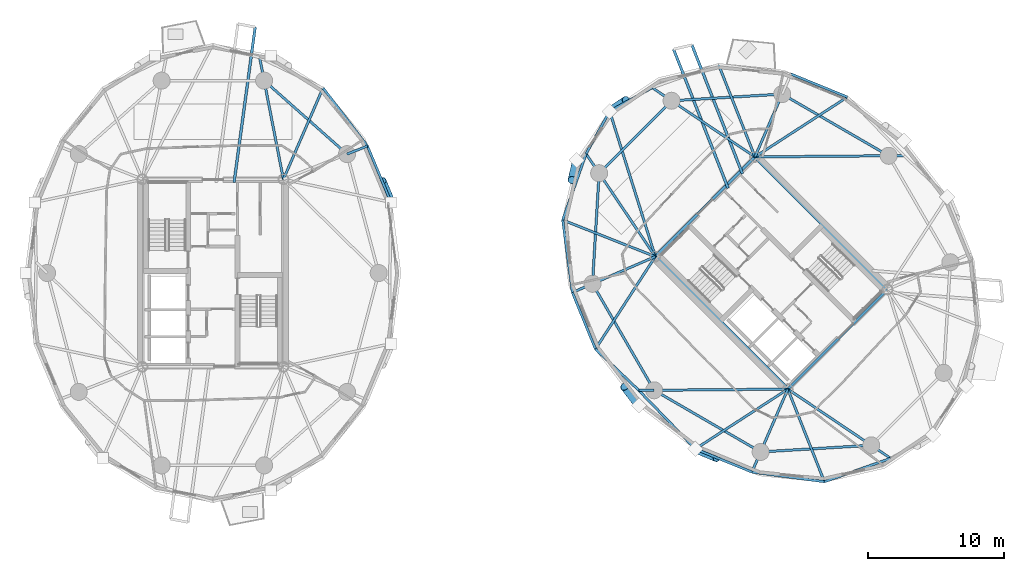
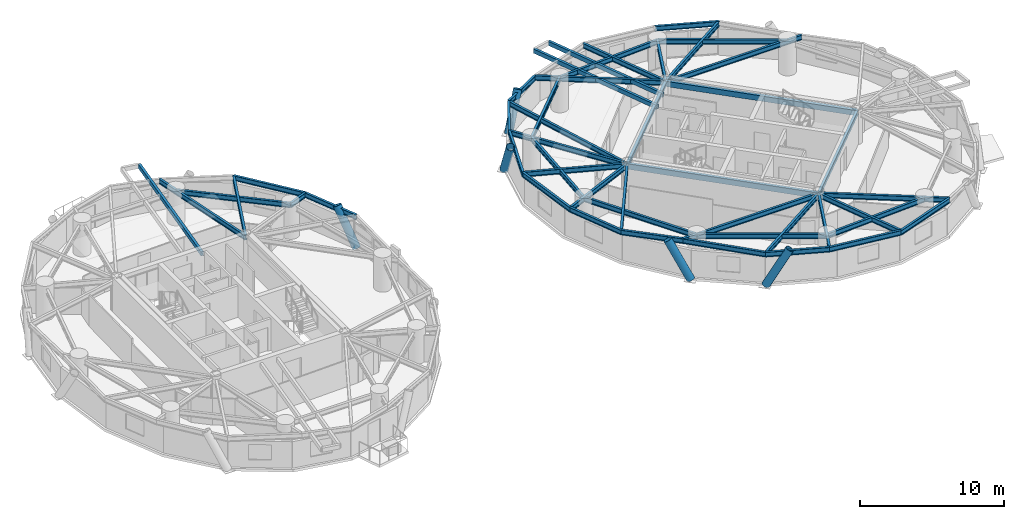
# One storey, part 4 of 17: 47 beams, 5 members.
"""IFC4 building model written with IfcOpenShell, lengths in metres."""

from ifc_helpers import new_model, si_unit, direction, frame, origin, origin_2d, place, context, subcontext, project, spatial, hollow_rectangle, hollow_circle, i_section, extrude, material, material_profile, profile_set, type_object, element, save


model = new_model("IFC4")

# Units and contexts
model_context = context("Model", 3, precision=1e-05, world=origin(), true_north=direction((0.0, 1.0)))
body_context = subcontext(model_context, "Body", "Model", "MODEL_VIEW")
ifc_project = project(units=[si_unit("LENGTHUNIT", "METRE"), si_unit("AREAUNIT", "SQUARE_METRE"), si_unit("VOLUMEUNIT", "CUBIC_METRE"), si_unit("PLANEANGLEUNIT", "RADIAN"), si_unit("MASSUNIT", "GRAM", prefix="KILO")], contexts=[model_context])

# Site, building, storey
site_placement = place(None, origin())
site = spatial("IfcSite", under=ifc_project, at=site_placement, CompositionType="ELEMENT")
building_placement = place(site_placement, origin())
building = spatial("IfcBuilding", under=site, at=building_placement, Name="Cununo Teusaquillo Station Towers", CompositionType="ELEMENT")
storey_placement = place(building_placement, frame((0.0, 0.0, 186.52001953125)))
storey = spatial("IfcBuildingStorey", under=building, at=storey_placement, Name="L59", CompositionType="ELEMENT", Elevation=186.52001953125)

# Beams
ifc_material_1 = material(Name="Steel EN 10025-2 S355J2", Category="steel")
ifc_material_profile_1 = material_profile(ifc_material_1, hollow_rectangle(XDim=0.199951171875, YDim=0.35009765625, WallThickness=0.013916015625, at=origin_2d()), Name="RHS 350x200x14")
ifc_profile_set_1 = profile_set([ifc_material_profile_1], Name="Steel EN 10025-2 S355J2")
beam_type_1 = type_object("IfcBeamType", Name="BM-BAL-CANT", PredefinedType="BEAM", material=ifc_profile_set_1)
beam_1_placement = place(storey_placement, frame((18.05517578125, 31.14990234375, 2.514892578125), z_axis=(0.134626438315, 0.990896423501, 0.0), x_axis=(-0.990896423501, 0.134626438315, 0.0)))
element("IfcBeam", 1, at=beam_1_placement, inside=storey, type_object=beam_type_1, Name="L59 Tower A Balcony Cantilever Bracket 1A", PredefinedType="BEAM", context=body_context, shape_type="SweptSolid", body=[
    extrude(hollow_rectangle(XDim=0.199951171875, YDim=0.35009765625, WallThickness=0.013916015625, at=origin_2d()), origin(), (0.0, 0.0, 1.0), 11.504638671875),
])
beam_2_placement = place(storey_placement, frame((55.377685546875, 31.781982421875, 2.514892578125), z_axis=(-0.365281448211, 0.930897128362, 0.0), x_axis=(-0.930897128362, -0.365281448211, 0.0)))
element("IfcBeam", 2, at=beam_2_placement, inside=storey, type_object=beam_type_1, Name="L59 Tower B Balcony Cantilever Bracket 1A", PredefinedType="BEAM", context=body_context, shape_type="SweptSolid", body=[
    extrude(hollow_rectangle(XDim=0.199951171875, YDim=0.35009765625, WallThickness=0.013916015625, at=origin_2d()), origin(), (0.0, 0.0, 1.0), 10.162353515625),
])
beam_3_placement = place(storey_placement, frame((54.32177734375, 30.726318359375, 2.514892578125), z_axis=(-0.36528703962, 0.93089493429, 0.0), x_axis=(-0.93089493429, -0.36528703962, 0.0)))
element("IfcBeam", 3, at=beam_3_placement, inside=storey, type_object=beam_type_1, Name="L59 Tower B Balcony Cantilever Bracket 1B", PredefinedType="BEAM", context=body_context, shape_type="SweptSolid", body=[
    extrude(hollow_rectangle(XDim=0.199951171875, YDim=0.35009765625, WallThickness=0.013916015625, at=origin_2d()), origin(), (0.0, 0.0, 1.0), 10.958984375),
])
ifc_material_2 = material(Name="Steel EN 10025-2 S355J2", Category="steel")
ifc_material_profile_2 = material_profile(ifc_material_2, hollow_rectangle(XDim=0.25, YDim=0.449951171875, WallThickness=0.01611328125, at=origin_2d()), Name="RHS 450x250x16")
ifc_profile_set_2 = profile_set([ifc_material_profile_2], Name="Steel EN 10025-2 S355J2")
beam_type_2 = type_object("IfcBeamType", Name="BM-COUP-1", PredefinedType="USERDEFINED", material=ifc_profile_set_2)
for number, where, z_axis, x_axis, name in (
    (4, (58.70556640625, 15.975830078125, 2.465087890625), (-0.707106781187, 0.707106781187, 0.0), (-0.707106781187, -0.707106781187, 0.0), "L59 Tower B Core Beam 1"),
    (5, (66.024169921875, 23.29443359375, 2.465087890625), (-0.707106781187, 0.707106781187, 0.0), (-0.707106781187, -0.707106781187, 0.0), "L59 Tower B Core Beam 2"),
):
    element("IfcBeam", number, at=place(storey_placement, frame(where, z_axis=z_axis, x_axis=x_axis)), inside=storey, type_object=beam_type_2, Name=name, ObjectType="COUPLING BEAM", PredefinedType="USERDEFINED", context=body_context, shape_type="SweptSolid", body=[
        extrude(hollow_rectangle(XDim=0.25, YDim=0.449951171875, WallThickness=0.01611328125, at=origin_2d()), origin(), (0.0, 0.0, 1.0), 13.760009765625),
    ])
ifc_material_3 = material(Name="Steel ASTM A572 Grade 50", Category="steel")
ifc_material_profile_3 = material_profile(ifc_material_3, i_section(OverallWidth=0.180908203125, OverallDepth=0.4169921875, WebThickness=0.010986328125, FlangeThickness=0.018310546875, FilletRadius=0.012939453125, at=origin_2d()), Name="W16X57")
ifc_profile_set_3 = profile_set([ifc_material_profile_3], Name="Steel ASTM A572 Grade 50")
beam_type_3 = type_object("IfcBeamType", Name="BM-JOIST-1", PredefinedType="JOIST", material=ifc_profile_set_3)
beam_4_placement = place(storey_placement, frame((21.675048828125, 31.3798828125, 2.4814453125), z_axis=(0.397903718051, 0.917427180304, 0.0), x_axis=(-0.917427180304, 0.397903718051, 0.0)))
element("IfcBeam", 6, at=beam_4_placement, inside=storey, type_object=beam_type_3, Name="L59 Tower A Radial Spandrel Joist V03", PredefinedType="JOIST", context=body_context, shape_type="SweptSolid", body=[
    extrude(i_section(OverallWidth=0.180908203125, OverallDepth=0.4169921875, WebThickness=0.010986328125, FlangeThickness=0.018310546875, FilletRadius=0.012939453125, at=origin_2d()), origin(), (0.0, 0.0, 1.0), 7.306884765625),
])
beam_5_placement = place(storey_placement, frame((56.29443359375, 33.024169921875, 2.4814453125), z_axis=(0.839447756954, 0.543440395394, 0.0), x_axis=(-0.543440395394, 0.839447756954, 0.0)))
element("IfcBeam", 7, at=beam_5_placement, inside=storey, type_object=beam_type_3, Name="L59 Tower B Radial Spandrel Joist V01", PredefinedType="JOIST", context=body_context, shape_type="SweptSolid", body=[
    extrude(i_section(OverallWidth=0.180908203125, OverallDepth=0.4169921875, WebThickness=0.010986328125, FlangeThickness=0.018310546875, FilletRadius=0.012939453125, at=origin_2d()), origin(), (0.0, 0.0, 1.0), 8.08203125),
])
beam_6_placement = place(storey_placement, frame((56.29443359375, 33.024169921875, 2.4814453125), z_axis=(-0.367331607091, 0.93009004426, 0.0), x_axis=(-0.93009004426, -0.367331607091, 0.0)))
element("IfcBeam", 8, at=beam_6_placement, inside=storey, type_object=beam_type_3, Name="L59 Tower B Radial Spandrel Joist V03", PredefinedType="JOIST", context=body_context, shape_type="SweptSolid", body=[
    extrude(i_section(OverallWidth=0.180908203125, OverallDepth=0.4169921875, WebThickness=0.010986328125, FlangeThickness=0.018310546875, FilletRadius=0.012939453125, at=origin_2d()), origin(), (0.0, 0.0, 1.0), 7.306884765625),
])
beam_7_placement = place(storey_placement, frame((48.975830078125, 25.70556640625, 2.4814453125), z_axis=(-0.29947962656, 0.954102695351, 0.0), x_axis=(-0.954102695351, -0.29947962656, 0.0)))
element("IfcBeam", 9, at=beam_7_placement, inside=storey, type_object=beam_type_3, Name="L59 Tower B Radial Spandrel Joist V05", PredefinedType="JOIST", context=body_context, shape_type="SweptSolid", body=[
    extrude(i_section(OverallWidth=0.180908203125, OverallDepth=0.4169921875, WebThickness=0.010986328125, FlangeThickness=0.018310546875, FilletRadius=0.012939453125, at=origin_2d()), origin(), (0.0, 0.0, 1.0), 11.179931640625),
])
beam_8_placement = place(storey_placement, frame((48.975830078125, 25.70556640625, 2.4814453125), z_axis=(-0.93009004426, 0.367331607091, 0.0), x_axis=(-0.367331607091, -0.93009004426, 0.0)))
element("IfcBeam", 10, at=beam_8_placement, inside=storey, type_object=beam_type_3, Name="L59 Tower B Radial Spandrel Joist V07", PredefinedType="JOIST", context=body_context, shape_type="SweptSolid", body=[
    extrude(i_section(OverallWidth=0.180908203125, OverallDepth=0.4169921875, WebThickness=0.010986328125, FlangeThickness=0.018310546875, FilletRadius=0.012939453125, at=origin_2d()), origin(), (0.0, 0.0, 1.0), 7.306884765625),
])
for number, where, z_axis, x_axis, name in (
    (11, (48.975830078125, 25.70556640625, 2.4814453125), (-0.543440395394, -0.839447756954, 0.0), (0.839447756954, -0.543440395394, 0.0), "L59 Tower B Radial Spandrel Joist V09"),
    (12, (58.70556640625, 15.975830078125, 2.4814453125), (-0.839447756954, -0.543440395394, 0.0), (0.543440395394, -0.839447756954, 0.0), "L59 Tower B Radial Spandrel Joist V11"),
):
    element("IfcBeam", number, at=place(storey_placement, frame(where, z_axis=z_axis, x_axis=x_axis)), inside=storey, type_object=beam_type_3, Name=name, PredefinedType="JOIST", context=body_context, shape_type="SweptSolid", body=[
        extrude(i_section(OverallWidth=0.180908203125, OverallDepth=0.4169921875, WebThickness=0.010986328125, FlangeThickness=0.018310546875, FilletRadius=0.012939453125, at=origin_2d()), origin(), (0.0, 0.0, 1.0), 8.08203125),
    ])
beam_9_placement = place(storey_placement, frame((58.70556640625, 15.975830078125, 2.4814453125), z_axis=(0.367331607091, -0.93009004426, 0.0), x_axis=(0.93009004426, 0.367331607091, 0.0)))
element("IfcBeam", 13, at=beam_9_placement, inside=storey, type_object=beam_type_3, Name="L59 Tower B Radial Spandrel Joist V13", PredefinedType="JOIST", context=body_context, shape_type="SweptSolid", body=[
    extrude(i_section(OverallWidth=0.180908203125, OverallDepth=0.4169921875, WebThickness=0.010986328125, FlangeThickness=0.018310546875, FilletRadius=0.012939453125, at=origin_2d()), origin(), (0.0, 0.0, 1.0), 7.306884765625),
])
ifc_material_4 = material(Name="Steel ASTM A572 Grade 50", Category="steel")
ifc_material_profile_4 = material_profile(ifc_material_4, i_section(OverallWidth=0.2041015625, OverallDepth=0.35009765625, WebThickness=0.008544921875, FlangeThickness=0.01513671875, FilletRadius=0.011962890625, at=origin_2d()), Name="W14X48")
ifc_profile_set_4 = profile_set([ifc_material_profile_4], Name="Steel ASTM A572 Grade 50")
beam_type_4 = type_object("IfcBeamType", Name="BM-LINTEL-1", PredefinedType="LINTEL", material=ifc_profile_set_4)
for number, where, z_axis, x_axis, name in (
    (14, (58.70556640625, 15.975830078125, 2.514892578125), (0.707106781187, 0.707106781187, 0.0), (-0.707106781187, 0.707106781187, 0.0), "L59 Tower B Core Beam 3"),
    (15, (48.975830078125, 25.70556640625, 2.514892578125), (0.707106781187, 0.707106781187, 0.0), (-0.707106781187, 0.707106781187, 0.0), "L59 Tower B Core Beam 4"),
):
    element("IfcBeam", number, at=place(storey_placement, frame(where, z_axis=z_axis, x_axis=x_axis)), inside=storey, type_object=beam_type_4, Name=name, PredefinedType="LINTEL", context=body_context, shape_type="SweptSolid", body=[
        extrude(i_section(OverallWidth=0.2041015625, OverallDepth=0.35009765625, WebThickness=0.008544921875, FlangeThickness=0.01513671875, FilletRadius=0.011962890625, at=origin_2d()), origin(), (0.0, 0.0, 1.0), 10.35009765625),
    ])
ifc_material_5 = material(Name="Steel ASTM A572 Grade 50", Category="steel")
ifc_material_profile_5 = material_profile(ifc_material_5, i_section(OverallWidth=0.180908203125, OverallDepth=0.4169921875, WebThickness=0.010986328125, FlangeThickness=0.018310546875, FilletRadius=0.012939453125, at=origin_2d()), Name="W16X57")
ifc_profile_set_5 = profile_set([ifc_material_profile_5], Name="Steel ASTM A572 Grade 50")
beam_type_5 = type_object("IfcBeamType", Name="BM-RAD-G2", PredefinedType="BEAM", material=ifc_profile_set_5)
beam_10_placement = place(storey_placement, frame((26.347412109375, 33.228515625, 2.4814453125), z_axis=(0.929873737198, 0.367878829058, 0.0), x_axis=(-0.367878829058, 0.929873737198, 0.0)))
element("IfcBeam", 16, at=beam_10_placement, inside=storey, type_object=beam_type_5, Name="L59 Tower A Perimeter Overhang Girder 02B", PredefinedType="BEAM", context=body_context, shape_type="SweptSolid", body=[
    extrude(i_section(OverallWidth=0.180908203125, OverallDepth=0.4169921875, WebThickness=0.010986328125, FlangeThickness=0.018310546875, FilletRadius=0.012939453125, at=origin_2d()), origin(), (0.0, 0.0, 1.0), 1.607421875),
])
beam_11_placement = place(storey_placement, frame((21.675048828125, 31.3798828125, 2.4814453125), z_axis=(-0.191557018874, 0.981481486591, 0.0), x_axis=(-0.981481486591, -0.191557018874, 0.0)))
element("IfcBeam", 17, at=beam_11_placement, inside=storey, type_object=beam_type_5, Name="L59 Tower A Continuous Overhanging Radial Girder 03", PredefinedType="BEAM", context=body_context, shape_type="SweptSolid", body=[
    extrude(i_section(OverallWidth=0.180908203125, OverallDepth=0.4169921875, WebThickness=0.010986328125, FlangeThickness=0.018310546875, FilletRadius=0.012939453125, at=origin_2d()), origin(), (0.0, 0.0, 1.0), 9.097412109375),
])
beam_12_placement = place(storey_placement, frame((56.29443359375, 33.024169921875, 2.4814453125), z_axis=(0.999964410964, 0.008436634764, 0.0), x_axis=(-0.008436634764, 0.999964410964, 0.0)))
element("IfcBeam", 18, at=beam_12_placement, inside=storey, type_object=beam_type_5, Name="L59 Tower B Continuous Overhanging Radial Girder 01", PredefinedType="BEAM", context=body_context, shape_type="SweptSolid", body=[
    extrude(i_section(OverallWidth=0.180908203125, OverallDepth=0.4169921875, WebThickness=0.010986328125, FlangeThickness=0.018310546875, FilletRadius=0.012939453125, at=origin_2d()), origin(), (0.0, 0.0, 1.0), 10.938720703125),
])
beam_13_placement = place(storey_placement, frame((56.29443359375, 33.024169921875, 2.4814453125), z_axis=(0.397346986387, 0.917668443616, 0.0), x_axis=(-0.917668443616, 0.397346986387, 0.0)))
element("IfcBeam", 19, at=beam_13_placement, inside=storey, type_object=beam_type_5, Name="L59 Tower B Radial Girder 02A", PredefinedType="BEAM", context=body_context, shape_type="SweptSolid", body=[
    extrude(i_section(OverallWidth=0.180908203125, OverallDepth=0.4169921875, WebThickness=0.010986328125, FlangeThickness=0.018310546875, FilletRadius=0.012939453125, at=origin_2d()), origin(), (0.0, 0.0, 1.0), 5.02490234375),
])
for number, where, z_axis, x_axis, name in (
    (20, (56.29443359375, 33.024169921875, 2.4814453125), (-0.829456719326, 0.558570989907, 0.0), (-0.558570989907, -0.829456719326, 0.0), "L59 Tower B Continuous Overhanging Radial Girder 03"),
    (21, (48.975830078125, 25.70556640625, 2.4814453125), (-0.558570989907, 0.829456719326, 0.0), (-0.829456719326, -0.558570989907, 0.0), "L59 Tower B Continuous Overhanging Radial Girder 04"),
):
    element("IfcBeam", number, at=place(storey_placement, frame(where, z_axis=z_axis, x_axis=x_axis)), inside=storey, type_object=beam_type_5, Name=name, PredefinedType="BEAM", context=body_context, shape_type="SweptSolid", body=[
        extrude(i_section(OverallWidth=0.180908203125, OverallDepth=0.4169921875, WebThickness=0.010986328125, FlangeThickness=0.018310546875, FilletRadius=0.012939453125, at=origin_2d()), origin(), (0.0, 0.0, 1.0), 9.097412109375),
    ])
beam_14_placement = place(storey_placement, frame((48.975830078125, 25.70556640625, 2.4814453125), z_axis=(-0.917664823247, -0.397355347486, 0.0), x_axis=(0.397355347486, -0.917664823247, 0.0)))
element("IfcBeam", 22, at=beam_14_placement, inside=storey, type_object=beam_type_5, Name="L59 Tower B Continuous Overhanging Radial Girder 05", PredefinedType="BEAM", context=body_context, shape_type="SweptSolid", body=[
    extrude(i_section(OverallWidth=0.180908203125, OverallDepth=0.4169921875, WebThickness=0.010986328125, FlangeThickness=0.018310546875, FilletRadius=0.012939453125, at=origin_2d()), origin(), (0.0, 0.0, 1.0), 6.632080078125),
])
beam_15_placement = place(storey_placement, frame((58.70556640625, 15.975830078125, 2.4814453125), z_axis=(-0.999964431382, -0.008434214327, 0.0), x_axis=(0.008434214327, -0.999964431382, 0.0)))
element("IfcBeam", 23, at=beam_15_placement, inside=storey, type_object=beam_type_5, Name="L59 Tower B Radial Girder 06A", PredefinedType="BEAM", context=body_context, shape_type="SweptSolid", body=[
    extrude(i_section(OverallWidth=0.180908203125, OverallDepth=0.4169921875, WebThickness=0.010986328125, FlangeThickness=0.018310546875, FilletRadius=0.012939453125, at=origin_2d()), origin(), (0.0, 0.0, 1.0), 9.812744140625),
])
beam_16_placement = place(storey_placement, frame((48.89306640625, 15.89306640625, 2.4814453125), z_axis=(-0.99996423274, -0.008457732613, 0.0), x_axis=(0.008457732613, -0.99996423274, 0.0)))
element("IfcBeam", 24, at=beam_16_placement, inside=storey, type_object=beam_type_5, Name="L59 Tower B Perimeter Overhang Girder 06B", PredefinedType="BEAM", context=body_context, shape_type="SweptSolid", body=[
    extrude(i_section(OverallWidth=0.180908203125, OverallDepth=0.4169921875, WebThickness=0.010986328125, FlangeThickness=0.018310546875, FilletRadius=0.012939453125, at=origin_2d()), origin(), (0.0, 0.0, 1.0), 1.125732421875),
])
beam_17_placement = place(storey_placement, frame((58.70556640625, 15.975830078125, 2.4814453125), z_axis=(-0.397355347486, -0.917664823247, 0.0), x_axis=(0.917664823247, -0.397355347486, 0.0)))
element("IfcBeam", 25, at=beam_17_placement, inside=storey, type_object=beam_type_5, Name="L59 Tower B Continuous Overhanging Radial Girder 07", PredefinedType="BEAM", context=body_context, shape_type="SweptSolid", body=[
    extrude(i_section(OverallWidth=0.180908203125, OverallDepth=0.4169921875, WebThickness=0.010986328125, FlangeThickness=0.018310546875, FilletRadius=0.012939453125, at=origin_2d()), origin(), (0.0, 0.0, 1.0), 6.632080078125),
])
beam_18_placement = place(storey_placement, frame((58.70556640625, 15.975830078125, 2.4814453125), z_axis=(0.829456719326, -0.558570989907, 0.0), x_axis=(0.558570989907, 0.829456719326, 0.0)))
element("IfcBeam", 26, at=beam_18_placement, inside=storey, type_object=beam_type_5, Name="L59 Tower B Continuous Overhanging Radial Girder 08", PredefinedType="BEAM", context=body_context, shape_type="SweptSolid", body=[
    extrude(i_section(OverallWidth=0.180908203125, OverallDepth=0.4169921875, WebThickness=0.010986328125, FlangeThickness=0.018310546875, FilletRadius=0.012939453125, at=origin_2d()), origin(), (0.0, 0.0, 1.0), 9.097412109375),
])
ifc_material_6 = material(Name="Steel ASTM A572 Grade 50", Category="steel")
ifc_material_profile_6 = material_profile(ifc_material_6, i_section(OverallWidth=0.180908203125, OverallDepth=0.4169921875, WebThickness=0.010986328125, FlangeThickness=0.018310546875, FilletRadius=0.012939453125, at=origin_2d()), Name="W16X57")
ifc_profile_set_6 = profile_set([ifc_material_profile_6], Name="Steel ASTM A572 Grade 50")
beam_type_6 = type_object("IfcBeamType", Name="BM-RING-Z3", PredefinedType="SPANDREL", material=ifc_profile_set_6)
beam_19_placement = place(storey_placement, frame((26.347412109375, 33.228515625, 2.4814453125), z_axis=(-0.74832120039, 0.66333655187, 0.0), x_axis=(-0.66333655187, -0.74832120039, 0.0)))
element("IfcBeam", 27, at=beam_19_placement, inside=storey, type_object=beam_type_6, Name="L59 Tower A Structural Column Ring Girder 02", PredefinedType="SPANDREL", context=body_context, shape_type="SweptSolid", body=[
    extrude(i_section(OverallWidth=0.180908203125, OverallDepth=0.4169921875, WebThickness=0.010986328125, FlangeThickness=0.018310546875, FilletRadius=0.012939453125, at=origin_2d()), origin(), (0.0, 0.0, 1.0), 8.1328125),
])
beam_20_placement = place(storey_placement, frame((29.577880859375, 29.6884765625, 2.4814453125), z_axis=(-0.387360300858, 0.921928412253, 0.0), x_axis=(-0.921928412253, -0.387360300858, 0.0)))
element("IfcBeam", 28, at=beam_20_placement, inside=storey, type_object=beam_type_6, Name="L59 Tower A Spandrel Ring Beam 02", PredefinedType="SPANDREL", context=body_context, shape_type="SweptSolid", body=[
    extrude(i_section(OverallWidth=0.180908203125, OverallDepth=0.4169921875, WebThickness=0.010986328125, FlangeThickness=0.018310546875, FilletRadius=0.012939453125, at=origin_2d()), origin(), (0.0, 0.0, 1.0), 4.481201171875),
])
beam_21_placement = place(storey_placement, frame((27.842041015625, 33.81982421875, 2.4814453125), z_axis=(-0.607340349092, 0.794441753916, 0.0), x_axis=(-0.794441753916, -0.607340349092, 0.0)))
element("IfcBeam", 29, at=beam_21_placement, inside=storey, type_object=beam_type_6, Name="L59 Tower A Spandrel Ring Beam 03", PredefinedType="SPANDREL", context=body_context, shape_type="SweptSolid", body=[
    extrude(i_section(OverallWidth=0.180908203125, OverallDepth=0.4169921875, WebThickness=0.010986328125, FlangeThickness=0.018310546875, FilletRadius=0.012939453125, at=origin_2d()), origin(), (0.0, 0.0, 1.0), 5.366943359375),
])
beam_22_placement = place(storey_placement, frame((66.10693359375, 33.10693359375, 2.4814453125), z_axis=(-0.865267103202, 0.501311121078, 0.0), x_axis=(-0.501311121078, -0.865267103202, 0.0)))
element("IfcBeam", 30, at=beam_22_placement, inside=storey, type_object=beam_type_6, Name="L59 Tower B Structural Column Ring Girder 01", PredefinedType="SPANDREL", context=body_context, shape_type="SweptSolid", body=[
    extrude(i_section(OverallWidth=0.180908203125, OverallDepth=0.4169921875, WebThickness=0.010986328125, FlangeThickness=0.018310546875, FilletRadius=0.012939453125, at=origin_2d()), origin(), (0.0, 0.0, 1.0), 9.032958984375),
])
beam_23_placement = place(storey_placement, frame((58.291015625, 37.63525390625, 2.4814453125), z_axis=(-0.998190567048, -0.06012979176, 0.0), x_axis=(0.06012979176, -0.998190567048, 0.0)))
element("IfcBeam", 31, at=beam_23_placement, inside=storey, type_object=beam_type_6, Name="L59 Tower B Structural Column Ring Girder 02", PredefinedType="SPANDREL", context=body_context, shape_type="SweptSolid", body=[
    extrude(i_section(OverallWidth=0.180908203125, OverallDepth=0.4169921875, WebThickness=0.010986328125, FlangeThickness=0.018310546875, FilletRadius=0.012939453125, at=origin_2d()), origin(), (0.0, 0.0, 1.0), 8.132568359375),
])
beam_24_placement = place(storey_placement, frame((50.173095703125, 37.146240234375, 2.4814453125), z_axis=(-0.707106781187, -0.707106781187, 0.0), x_axis=(0.707106781187, -0.707106781187, 0.0)))
element("IfcBeam", 32, at=beam_24_placement, inside=storey, type_object=beam_type_6, Name="L59 Tower B Structural Column Ring Girder 03", PredefinedType="SPANDREL", context=body_context, shape_type="SweptSolid", body=[
    extrude(i_section(OverallWidth=0.180908203125, OverallDepth=0.4169921875, WebThickness=0.010986328125, FlangeThickness=0.018310546875, FilletRadius=0.012939453125, at=origin_2d()), origin(), (0.0, 0.0, 1.0), 7.522705078125),
])
beam_25_placement = place(storey_placement, frame((44.853759765625, 31.826904296875, 2.4814453125), z_axis=(-0.06012979176, -0.998190567048, 0.0), x_axis=(0.998190567048, -0.06012979176, 0.0)))
element("IfcBeam", 33, at=beam_25_placement, inside=storey, type_object=beam_type_6, Name="L59 Tower B Structural Column Ring Girder 04", PredefinedType="SPANDREL", context=body_context, shape_type="SweptSolid", body=[
    extrude(i_section(OverallWidth=0.180908203125, OverallDepth=0.4169921875, WebThickness=0.010986328125, FlangeThickness=0.018310546875, FilletRadius=0.012939453125, at=origin_2d()), origin(), (0.0, 0.0, 1.0), 8.132568359375),
])
for number, where, z_axis, x_axis, name in (
    (34, (44.36474609375, 23.708984375, 2.4814453125), (0.501311121078, -0.865267103202, 0.0), (0.865267103202, 0.501311121078, 0.0), "L59 Tower B Structural Column Ring Girder 05"),
    (35, (48.89306640625, 15.89306640625, 2.4814453125), (0.865267103202, -0.501311121078, 0.0), (0.501311121078, 0.865267103202, 0.0), "L59 Tower B Structural Column Ring Girder 06"),
):
    element("IfcBeam", number, at=place(storey_placement, frame(where, z_axis=z_axis, x_axis=x_axis)), inside=storey, type_object=beam_type_6, Name=name, PredefinedType="SPANDREL", context=body_context, shape_type="SweptSolid", body=[
        extrude(i_section(OverallWidth=0.180908203125, OverallDepth=0.4169921875, WebThickness=0.010986328125, FlangeThickness=0.018310546875, FilletRadius=0.012939453125, at=origin_2d()), origin(), (0.0, 0.0, 1.0), 9.032958984375),
    ])
beam_26_placement = place(storey_placement, frame((56.708984375, 11.36474609375, 2.4814453125), z_axis=(0.998190567048, 0.06012979176, 0.0), x_axis=(-0.06012979176, 0.998190567048, 0.0)))
element("IfcBeam", 36, at=beam_26_placement, inside=storey, type_object=beam_type_6, Name="L59 Tower B Structural Column Ring Girder 07", PredefinedType="SPANDREL", context=body_context, shape_type="SweptSolid", body=[
    extrude(i_section(OverallWidth=0.180908203125, OverallDepth=0.4169921875, WebThickness=0.010986328125, FlangeThickness=0.018310546875, FilletRadius=0.012939453125, at=origin_2d()), origin(), (0.0, 0.0, 1.0), 8.132568359375),
])
beam_27_placement = place(storey_placement, frame((63.078857421875, 37.416259765625, 2.4814453125), z_axis=(-0.925823525235, 0.377956082264, 0.0), x_axis=(-0.377956082264, -0.925823525235, 0.0)))
element("IfcBeam", 37, at=beam_27_placement, inside=storey, type_object=beam_type_6, Name="L59 Tower B Spandrel Ring Beam 02", PredefinedType="SPANDREL", context=body_context, shape_type="SweptSolid", body=[
    extrude(i_section(OverallWidth=0.180908203125, OverallDepth=0.4169921875, WebThickness=0.010986328125, FlangeThickness=0.018310546875, FilletRadius=0.012939453125, at=origin_2d()), origin(), (0.0, 0.0, 1.0), 4.481689453125),
])
for number, where, z_axis, x_axis, name in (
    (38, (48.74853515625, 38.105712890625, 2.4814453125), (-0.874205659621, -0.485555830659, 0.0), (0.485555830659, -0.874205659621, 0.0), "L59 Tower B Spandrel Ring Beam 05"),
    (39, (45.627685546875, 36.372314453125, 2.4814453125), (-0.485555830659, -0.874205659621, 0.0), (0.874205659621, -0.485555830659, 0.0), "L59 Tower B Spandrel Ring Beam 06"),
):
    element("IfcBeam", number, at=place(storey_placement, frame(where, z_axis=z_axis, x_axis=x_axis)), inside=storey, type_object=beam_type_6, Name=name, PredefinedType="SPANDREL", context=body_context, shape_type="SweptSolid", body=[
        extrude(i_section(OverallWidth=0.180908203125, OverallDepth=0.4169921875, WebThickness=0.010986328125, FlangeThickness=0.018310546875, FilletRadius=0.012939453125, at=origin_2d()), origin(), (0.0, 0.0, 1.0), 3.56982421875),
    ])
beam_28_placement = place(storey_placement, frame((43.894287109375, 33.25146484375, 2.4814453125), z_axis=(-0.332589733158, -0.943071614141, 0.0), x_axis=(0.943071614141, -0.332589733158, 0.0)))
element("IfcBeam", 40, at=beam_28_placement, inside=storey, type_object=beam_type_6, Name="L59 Tower B Spandrel Ring Beam 07", PredefinedType="SPANDREL", context=body_context, shape_type="SweptSolid", body=[
    extrude(i_section(OverallWidth=0.180908203125, OverallDepth=0.4169921875, WebThickness=0.010986328125, FlangeThickness=0.018310546875, FilletRadius=0.012939453125, at=origin_2d()), origin(), (0.0, 0.0, 1.0), 5.1552734375),
])
beam_29_placement = place(storey_placement, frame((42.1796875, 28.3896484375, 2.4814453125), z_axis=(0.132339532096, -0.991204443213, 0.0), x_axis=(0.991204443213, 0.132339532096, 0.0)))
element("IfcBeam", 41, at=beam_29_placement, inside=storey, type_object=beam_type_6, Name="L59 Tower B Spandrel Ring Beam 08", PredefinedType="SPANDREL", context=body_context, shape_type="SweptSolid", body=[
    extrude(i_section(OverallWidth=0.180908203125, OverallDepth=0.4169921875, WebThickness=0.010986328125, FlangeThickness=0.018310546875, FilletRadius=0.012939453125, at=origin_2d()), origin(), (0.0, 0.0, 1.0), 5.366455078125),
])
beam_30_placement = place(storey_placement, frame((42.889892578125, 23.0703125, 2.4814453125), z_axis=(0.377956082264, -0.925823525235, 0.0), x_axis=(0.925823525235, 0.377956082264, 0.0)))
element("IfcBeam", 42, at=beam_30_placement, inside=storey, type_object=beam_type_6, Name="L59 Tower B Spandrel Ring Beam 09", PredefinedType="SPANDREL", context=body_context, shape_type="SweptSolid", body=[
    extrude(i_section(OverallWidth=0.180908203125, OverallDepth=0.4169921875, WebThickness=0.010986328125, FlangeThickness=0.018310546875, FilletRadius=0.012939453125, at=origin_2d()), origin(), (0.0, 0.0, 1.0), 4.481689453125),
])
beam_31_placement = place(storey_placement, frame((44.583740234375, 18.921142578125, 2.4814453125), z_axis=(0.723501643849, -0.690322657421, 0.0), x_axis=(0.690322657421, 0.723501643849, 0.0)))
element("IfcBeam", 43, at=beam_31_placement, inside=storey, type_object=beam_type_6, Name="L59 Tower B Spandrel Ring Beam 10", PredefinedType="SPANDREL", context=body_context, shape_type="SweptSolid", body=[
    extrude(i_section(OverallWidth=0.180908203125, OverallDepth=0.4169921875, WebThickness=0.010986328125, FlangeThickness=0.018310546875, FilletRadius=0.012939453125, at=origin_2d()), origin(), (0.0, 0.0, 1.0), 4.400146484375),
])
beam_32_placement = place(storey_placement, frame((47.767333984375, 15.883544921875, 2.4814453125), z_axis=(0.694791256552, -0.719211450005, 0.0), x_axis=(0.719211450005, 0.694791256552, 0.0)))
element("IfcBeam", 44, at=beam_32_placement, inside=storey, type_object=beam_type_6, Name="L59 Tower B Spandrel Ring Beam 11", PredefinedType="SPANDREL", context=body_context, shape_type="SweptSolid", body=[
    extrude(i_section(OverallWidth=0.180908203125, OverallDepth=0.4169921875, WebThickness=0.010986328125, FlangeThickness=0.018310546875, FilletRadius=0.012939453125, at=origin_2d()), origin(), (0.0, 0.0, 1.0), 5.978515625),
])
beam_33_placement = place(storey_placement, frame((51.921142578125, 11.583740234375, 2.4814453125), z_axis=(0.925823525235, -0.377956082264, 0.0), x_axis=(0.377956082264, 0.925823525235, 0.0)))
element("IfcBeam", 45, at=beam_33_placement, inside=storey, type_object=beam_type_6, Name="L59 Tower B Spandrel Ring Beam 12", PredefinedType="SPANDREL", context=body_context, shape_type="SweptSolid", body=[
    extrude(i_section(OverallWidth=0.180908203125, OverallDepth=0.4169921875, WebThickness=0.010986328125, FlangeThickness=0.018310546875, FilletRadius=0.012939453125, at=origin_2d()), origin(), (0.0, 0.0, 1.0), 4.481689453125),
])
beam_34_placement = place(storey_placement, frame((56.0703125, 9.889892578125, 2.4814453125), z_axis=(0.991204443213, -0.132339532096, 0.0), x_axis=(0.132339532096, 0.991204443213, 0.0)))
element("IfcBeam", 46, at=beam_34_placement, inside=storey, type_object=beam_type_6, Name="L59 Tower B Spandrel Ring Beam 13", PredefinedType="SPANDREL", context=body_context, shape_type="SweptSolid", body=[
    extrude(i_section(OverallWidth=0.180908203125, OverallDepth=0.4169921875, WebThickness=0.010986328125, FlangeThickness=0.018310546875, FilletRadius=0.012939453125, at=origin_2d()), origin(), (0.0, 0.0, 1.0), 5.366455078125),
])
beam_35_placement = place(storey_placement, frame((61.3896484375, 9.1796875, 2.4814453125), z_axis=(0.943071614141, 0.332589733158, 0.0), x_axis=(-0.332589733158, 0.943071614141, 0.0)))
element("IfcBeam", 47, at=beam_35_placement, inside=storey, type_object=beam_type_6, Name="L59 Tower B Spandrel Ring Beam 14", PredefinedType="SPANDREL", context=body_context, shape_type="SweptSolid", body=[
    extrude(i_section(OverallWidth=0.180908203125, OverallDepth=0.4169921875, WebThickness=0.010986328125, FlangeThickness=0.018310546875, FilletRadius=0.012939453125, at=origin_2d()), origin(), (0.0, 0.0, 1.0), 5.1552734375),
])

# Members
ifc_material_7 = material(Name="Steel EN 10025-2 S355J2", Category="steel")
ifc_material_profile_7 = material_profile(ifc_material_7, hollow_circle(Radius=0.304931640625, WallThickness=0.02001953125, at=origin_2d()), Name="CHS 610x20")
ifc_profile_set_7 = profile_set([ifc_material_profile_7], Name="Steel EN 10025-2 S355J2")
member_type = type_object("IfcMemberType", Name="MBR-DIAG-Z3", PredefinedType="BRACE", material=ifc_profile_set_7)
member_1_placement = place(storey_placement, frame((29.577880859375, 29.6884765625, -0.14013671875), z_axis=(-0.19339870769, 0.463547540187, 0.864708400474), x_axis=(-0.922897355367, -0.38504606407, 0.0)))
element("IfcMember", 48, at=member_1_placement, inside=storey, type_object=member_type, Name="L59 Tower A Folded-Zigzag Diagrid Tube C01", PredefinedType="BRACE", context=body_context, shape_type="SweptSolid", body=[
    extrude(hollow_circle(Radius=0.304931640625, WallThickness=0.02001953125, at=origin_2d()), origin(), (0.0, 0.0, 1.0), 3.365478515625),
])
member_2_placement = place(storey_placement, frame((45.627685546875, 36.372314453125, -0.14013671875), z_axis=(0.367998933543, 0.248714965501, 0.895945115979), x_axis=(-0.559961028799, 0.828518947416, 0.0)))
element("IfcMember", 49, at=member_2_placement, inside=storey, type_object=member_type, Name="L59 Tower B Folded-Zigzag Diagrid Tube C04", PredefinedType="BRACE", context=body_context, shape_type="SweptSolid", body=[
    extrude(hollow_circle(Radius=0.304931640625, WallThickness=0.02001953125, at=origin_2d()), origin(), (0.0, 0.0, 1.0), 3.248046875),
])
member_3_placement = place(storey_placement, frame((43.2041015625, 32.78662109375, -0.14013671875), z_axis=(-0.104175068617, -0.447401367651, 0.888245220253), x_axis=(0.973946400459, -0.226778325756, 0.0)))
element("IfcMember", 50, at=member_3_placement, inside=storey, type_object=member_type, Name="L59 Tower B Folded-Zigzag Diagrid Tube C06", PredefinedType="BRACE", context=body_context, shape_type="SweptSolid", body=[
    extrude(hollow_circle(Radius=0.304931640625, WallThickness=0.02001953125, at=origin_2d()), origin(), (0.0, 0.0, 1.0), 3.2763671875),
])
member_4_placement = place(storey_placement, frame((47.776611328125, 14.776611328125, -0.14013671875), z_axis=(-0.313677039683, 0.407226053583, 0.857772496679), x_axis=(-0.792223093087, -0.610231571438, 0.0)))
element("IfcMember", 51, at=member_4_placement, inside=storey, type_object=member_type, Name="L59 Tower B Folded-Zigzag Diagrid Tube C09", PredefinedType="BRACE", context=body_context, shape_type="SweptSolid", body=[
    extrude(hollow_circle(Radius=0.304931640625, WallThickness=0.02001953125, at=origin_2d()), origin(), (0.0, 0.0, 1.0), 3.392578125),
])
member_5_placement = place(storey_placement, frame((51.921142578125, 11.583740234375, -0.14013671875), z_axis=(0.464614826965, -0.190996227853, 0.864669592104), x_axis=(0.380212289499, 0.924899245818, 0.0)))
element("IfcMember", 52, at=member_5_placement, inside=storey, type_object=member_type, Name="L59 Tower B Folded-Zigzag Diagrid Tube C11", PredefinedType="BRACE", context=body_context, shape_type="SweptSolid", body=[
    extrude(hollow_circle(Radius=0.304931640625, WallThickness=0.02001953125, at=origin_2d()), origin(), (0.0, 0.0, 1.0), 3.36572265625),
])

save(model, "model.ifc")
